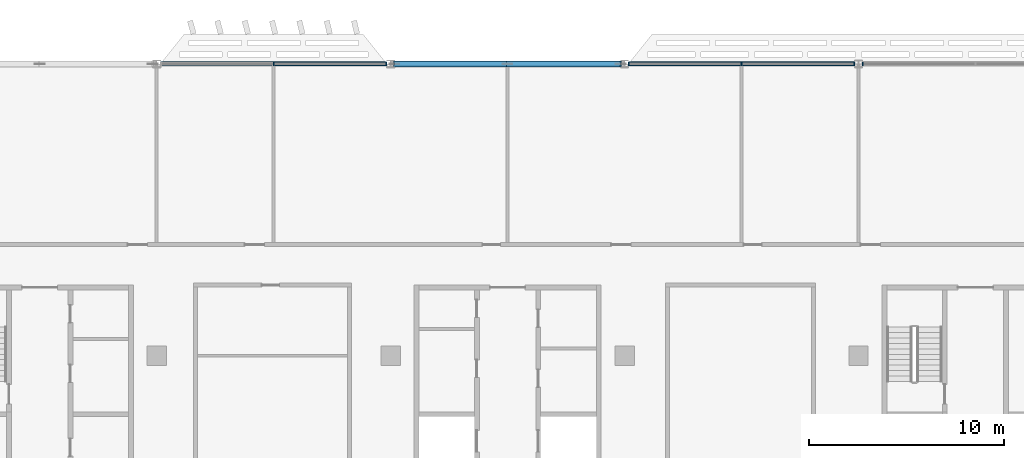
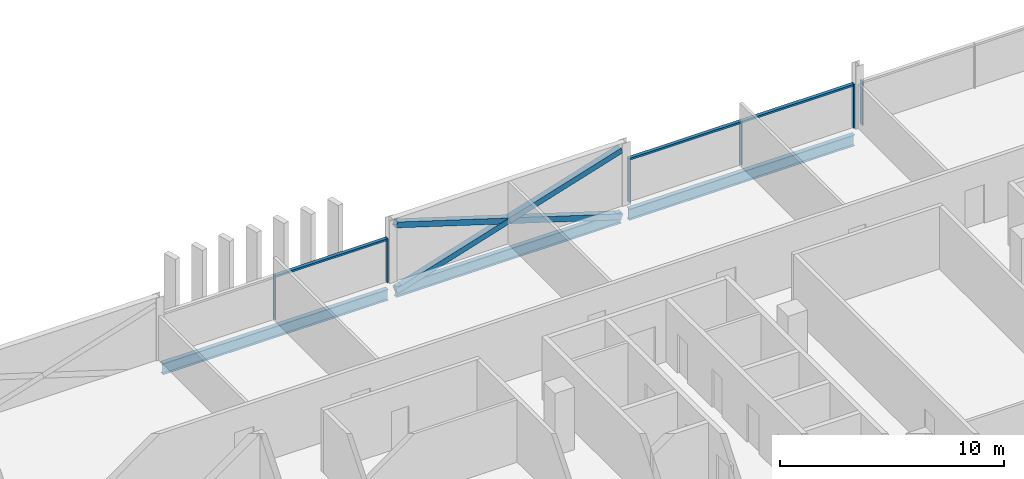
# One storey, part 10 of 33: 12 members, 3 beams, 3 elements without a shape of their own.
"""IFC4 building model written with IfcOpenShell, lengths in metres."""

from ifc_helpers import new_model, si_unit, direction, frame, origin, origin_2d, place, context, subcontext, project, spatial, rectangle, hollow_rectangle, i_section, extrude, material, material_profile, profile_set, type_object, element, aggregate, save


model = new_model("IFC4")

# Units and contexts
model_context = context("Model", 3, precision=1e-05, world=origin(), true_north=direction((0.0, 1.0)))
body_context = subcontext(model_context, "Body", "Model", "MODEL_VIEW")
ifc_project = project(units=[si_unit("LENGTHUNIT", "METRE"), si_unit("AREAUNIT", "SQUARE_METRE"), si_unit("VOLUMEUNIT", "CUBIC_METRE"), si_unit("PLANEANGLEUNIT", "RADIAN"), si_unit("MASSUNIT", "GRAM", prefix="KILO")], contexts=[model_context])

# Site, building, storey
site_placement = place(None, origin())
site = spatial("IfcSite", under=ifc_project, at=site_placement, CompositionType="ELEMENT")
building_placement = place(site_placement, origin())
building = spatial("IfcBuilding", under=site, at=building_placement, Name="Mahtab Terrace Research Tower", CompositionType="ELEMENT")
storey_placement = place(building_placement, frame((0.0, 0.0, 255.199951171875)))
storey = spatial("IfcBuildingStorey", under=building, at=storey_placement, Name="L62", CompositionType="ELEMENT", Elevation=255.199951171875)

# Members
ifc_material_1 = material(Name="Steel ASTM A500 Gr C", Category="steel")
ifc_material_profile_1 = material_profile(ifc_material_1, hollow_rectangle(XDim=0.3046875, YDim=0.3046875, WallThickness=0.015869140625, at=origin_2d()), Name="HSS12X12X5/8")
ifc_profile_set_1 = profile_set([ifc_material_profile_1], Name="Steel ASTM A500 Gr C")
member_type_1 = type_object("IfcMemberType", Name="HSS 12x12x5/8 brace XB121258", PredefinedType="BRACE", material=ifc_profile_set_1)
member_1_placement = place(storey_placement, frame((5.800537109375, 26.472900390625, -0.581298828125), z_axis=(-0.954704930232, 0.0, 0.297554190343), x_axis=(0.0, -1.0, 0.0)))
element("IfcMember", 1, at=member_1_placement, inside=storey, type_object=member_type_1, Name="Exoskeleton brace L62 05 a", PredefinedType="BRACE", context=body_context, shape_type="SweptSolid", body=[
    extrude(hollow_rectangle(XDim=0.3046875, YDim=0.3046875, WallThickness=0.015869140625, at=origin_2d()), origin(), (0.0, 0.0, 1.0), 12.1513671875),
])
for number, where, z_axis, x_axis, name in (
    (2, (-5.800537109375, 26.472900390625, -0.581298828125), (0.954704930232, 0.0, 0.297554190343), (0.0, 1.0, 0.0), "Exoskeleton brace L62 05 b1"),
    (3, (0.0, 26.472900390625, 1.2265625), (0.954704930232, 0.0, 0.297554190343), (0.0, 1.0, 0.0), "Exoskeleton brace L62 05 b2"),
):
    element("IfcMember", number, at=place(storey_placement, frame(where, z_axis=z_axis, x_axis=x_axis)), inside=storey, type_object=member_type_1, Name=name, PredefinedType="BRACE", context=body_context, shape_type="SweptSolid", body=[
        extrude(hollow_rectangle(XDim=0.3046875, YDim=0.3046875, WallThickness=0.015869140625, at=origin_2d()), origin(), (0.0, 0.0, 1.0), 6.07568359375),
    ])

# Curtain wall, member
ifc_material_2 = material(Name="Office ribbon curtain wall")
curtain_wall_type = type_object("IfcCurtainWallType", Name="Office ribbon curtain wall", PredefinedType="NOTDEFINED", material=ifc_material_2)
curtain_wall_1_placement = place(storey_placement, origin())
curtain_wall_1 = element("IfcCurtainWall", 4, at=curtain_wall_1_placement, inside=storey, type_object=curtain_wall_type, Name="EN.L62.3.6", PredefinedType="NOTDEFINED")
ifc_material_3 = material(Name="Natural anodised aluminium", Category="aluminium")
ifc_material_profile_2 = material_profile(ifc_material_3, rectangle(XDim=0.179931640625, YDim=0.06005859375, at=origin_2d()), Name="MULLION 60x180")
ifc_profile_set_2 = profile_set([ifc_material_profile_2], Name="Natural anodised aluminium")
member_type_2 = type_object("IfcMemberType", Name="Office ribbon curtain wall mullion", PredefinedType="MULLION", material=ifc_profile_set_2)
member_2_placement = place(storey_placement, frame((18.222900390625, 26.472900390625, 0.0), z_axis=(0.0, 0.0, 1.0), x_axis=(0.0, -1.0, 0.0)))
member_2 = element("IfcMember", 5, at=member_2_placement, type_object=member_type_2, Name="CWO-7 mullion 3", PredefinedType="MULLION", context=body_context, shape_type="SweptSolid", body=[
    extrude(rectangle(XDim=0.179931640625, YDim=0.06005859375, at=origin_2d()), origin(), (0.0, 0.0, 1.0), 2.4013671875),
])
aggregate(curtain_wall_1, [member_2])

# Curtain wall, members
curtain_wall_2_placement = place(storey_placement, origin())
curtain_wall_2 = element("IfcCurtainWall", 6, at=curtain_wall_2_placement, inside=storey, type_object=curtain_wall_type, Name="EN.L62.3.7", PredefinedType="NOTDEFINED")
member_3_placement = place(storey_placement, frame((17.777099609375, 26.472900390625, 0.0), z_axis=(0.0, 0.0, 1.0), x_axis=(0.0, -1.0, 0.0)))
member_3 = element("IfcMember", 7, at=member_3_placement, type_object=member_type_2, Name="CWO-7 mullion 1", PredefinedType="MULLION", context=body_context, shape_type="SweptSolid", body=[
    extrude(rectangle(XDim=0.179931640625, YDim=0.06005859375, at=origin_2d()), origin(), (0.0, 0.0, 1.0), 2.4013671875),
])
member_4_placement = place(storey_placement, frame((12.0, 26.472900390625, 0.0), z_axis=(0.0, 0.0, 1.0), x_axis=(0.0, -1.0, 0.0)))
member_4 = element("IfcMember", 8, at=member_4_placement, type_object=member_type_2, Name="CWO-7 mullion 2", PredefinedType="MULLION", context=body_context, shape_type="SweptSolid", body=[
    extrude(rectangle(XDim=0.179931640625, YDim=0.06005859375, at=origin_2d()), origin(), (0.0, 0.0, 1.0), 2.4013671875),
])
member_5_placement = place(storey_placement, frame((6.222900390625, 26.472900390625, 0.0), z_axis=(0.0, 0.0, 1.0), x_axis=(0.0, -1.0, 0.0)))
member_5 = element("IfcMember", 9, at=member_5_placement, type_object=member_type_2, Name="CWO-7 mullion 3", PredefinedType="MULLION", context=body_context, shape_type="SweptSolid", body=[
    extrude(rectangle(XDim=0.179931640625, YDim=0.06005859375, at=origin_2d()), origin(), (0.0, 0.0, 1.0), 2.4013671875),
])

curtain_wall_3_placement = place(storey_placement, origin())
curtain_wall_3 = element("IfcCurtainWall", 10, at=curtain_wall_3_placement, inside=storey, type_object=curtain_wall_type, Name="EN.L62.3.9", PredefinedType="NOTDEFINED")
member_6_placement = place(storey_placement, frame((-6.222900390625, 26.472900390625, 0.0), z_axis=(0.0, 0.0, 1.0), x_axis=(0.0, -1.0, 0.0)))
member_6 = element("IfcMember", 11, at=member_6_placement, type_object=member_type_2, Name="CWO-7 mullion 1", PredefinedType="MULLION", context=body_context, shape_type="SweptSolid", body=[
    extrude(rectangle(XDim=0.179931640625, YDim=0.06005859375, at=origin_2d()), origin(), (0.0, 0.0, 1.0), 2.4013671875),
])
member_7_placement = place(storey_placement, frame((-12.0, 26.472900390625, 0.0), z_axis=(0.0, 0.0, 1.0), x_axis=(0.0, -1.0, 0.0)))
member_7 = element("IfcMember", 12, at=member_7_placement, type_object=member_type_2, Name="CWO-7 mullion 2", PredefinedType="MULLION", context=body_context, shape_type="SweptSolid", body=[
    extrude(rectangle(XDim=0.179931640625, YDim=0.06005859375, at=origin_2d()), origin(), (0.0, 0.0, 1.0), 2.4013671875),
])

# Member
ifc_material_profile_3 = material_profile(ifc_material_3, rectangle(XDim=0.179931640625, YDim=0.10009765625, at=origin_2d()), Name="TRANSOM 100x180")
ifc_profile_set_3 = profile_set([ifc_material_profile_3], Name="Natural anodised aluminium")
member_type_3 = type_object("IfcMemberType", Name="Office ribbon curtain wall transom", PredefinedType="USERDEFINED", material=ifc_profile_set_3)
member_8_placement = place(storey_placement, frame((17.7470703125, 26.472900390625, 2.351318359375), z_axis=(-1.0, 0.0, 0.0), x_axis=(0.0, -1.0, 0.0)))
member_8 = element("IfcMember", 13, at=member_8_placement, type_object=member_type_3, Name="CWO-7 transom 1", ObjectType="TRANSOM", PredefinedType="USERDEFINED", context=body_context, shape_type="SweptSolid", body=[
    extrude(rectangle(XDim=0.179931640625, YDim=0.10009765625, at=origin_2d()), origin(), (0.0, 0.0, 1.0), 5.717041015625),
])

member_9_placement = place(storey_placement, frame((11.969970703125, 26.472900390625, 2.351318359375), z_axis=(-1.0, 0.0, 0.0), x_axis=(0.0, -1.0, 0.0)))
member_9 = element("IfcMember", 14, at=member_9_placement, type_object=member_type_3, Name="CWO-7 transom 2", ObjectType="TRANSOM", PredefinedType="USERDEFINED", context=body_context, shape_type="SweptSolid", body=[
    extrude(rectangle(XDim=0.179931640625, YDim=0.10009765625, at=origin_2d()), origin(), (0.0, 0.0, 1.0), 5.717041015625),
])

aggregate(curtain_wall_2, [member_3, member_4, member_5, member_8, member_9])

member_10_placement = place(storey_placement, frame((-6.2529296875, 26.472900390625, 2.351318359375), z_axis=(-1.0, 0.0, 0.0), x_axis=(0.0, -1.0, 0.0)))
member_10 = element("IfcMember", 15, at=member_10_placement, type_object=member_type_3, Name="CWO-7 transom 1", ObjectType="TRANSOM", PredefinedType="USERDEFINED", context=body_context, shape_type="SweptSolid", body=[
    extrude(rectangle(XDim=0.179931640625, YDim=0.10009765625, at=origin_2d()), origin(), (0.0, 0.0, 1.0), 5.717041015625),
])

aggregate(curtain_wall_3, [member_6, member_7, member_10])

# Beams
ifc_material_4 = material(Name="Steel ASTM A992 Gr 50", Category="steel")
ifc_material_profile_4 = material_profile(ifc_material_4, i_section(OverallWidth=0.228271484375, OverallDepth=0.607177734375, WebThickness=0.01123046875, FlangeThickness=0.017333984375, at=origin_2d()), Name="W24X76")
ifc_profile_set_4 = profile_set([ifc_material_profile_4], Name="Steel ASTM A992 Gr 50")
beam_type = type_object("IfcBeamType", Name="W24x76 beam BS2476", PredefinedType="BEAM", material=ifc_profile_set_4)
for number, where, z_axis, x_axis, name in (
    (16, (17.800537109375, 26.472900390625, -0.6435546875), (-1.0, 0.0, 0.0), (0.0, -1.0, 0.0), "Spandrel beam L62 04"),
    (17, (5.800537109375, 26.472900390625, -0.6435546875), (-1.0, 0.0, 0.0), (0.0, -1.0, 0.0), "Spandrel beam L62 05"),
    (18, (-6.199462890625, 26.472900390625, -0.6435546875), (-1.0, 0.0, 0.0), (0.0, -1.0, 0.0), "Spandrel beam L62 06"),
):
    element("IfcBeam", number, at=place(storey_placement, frame(where, z_axis=z_axis, x_axis=x_axis)), inside=storey, type_object=beam_type, Name=name, PredefinedType="BEAM", context=body_context, shape_type="SweptSolid", body=[
        extrude(i_section(OverallWidth=0.228271484375, OverallDepth=0.607177734375, WebThickness=0.01123046875, FlangeThickness=0.017333984375, at=origin_2d()), origin(), (0.0, 0.0, 1.0), 11.60107421875),
    ])

save(model, "model.ifc")
